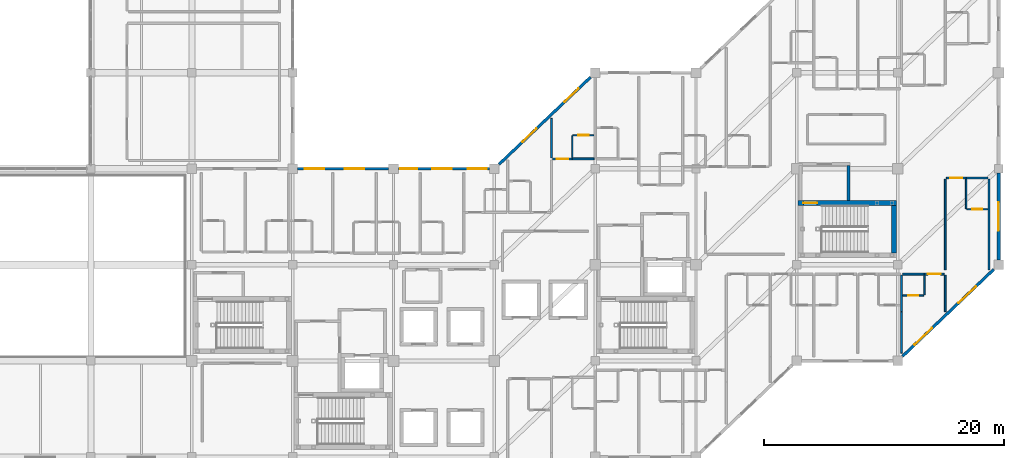
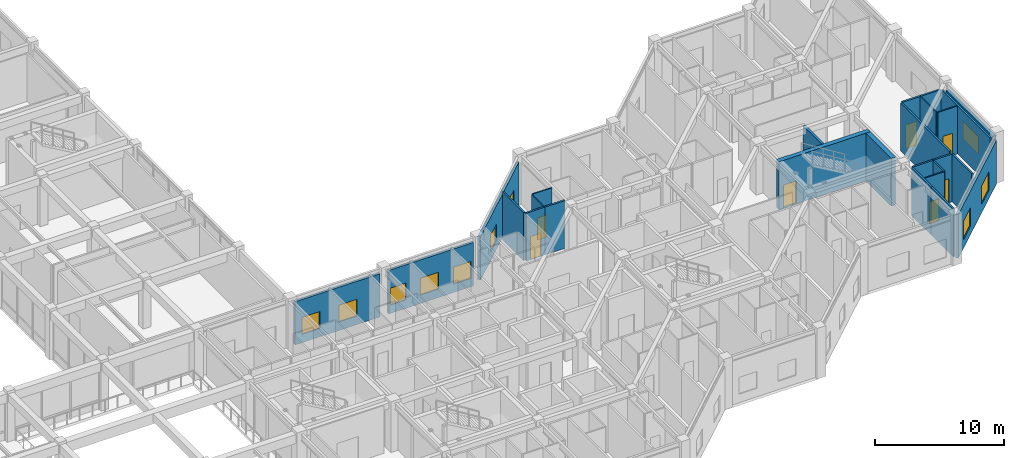
# One storey, part 63 of 76: 26 walls, 10 windows, 7 doors, 17 openings.
"""IFC4 building model written with IfcOpenShell, lengths in metres."""

from ifc_helpers import new_model, si_unit, direction, frame, frame_2d, origin, place, context, subcontext, project, spatial, rectangle, extrude, material, layer, layer_set, type_object, element, fill, save


model = new_model("IFC4")

# Units and contexts
model_context = context("Model", 3, precision=1e-05, world=origin(), true_north=direction((0.0, 1.0)))
body_context = subcontext(model_context, "Body", "Model", "MODEL_VIEW")
ifc_project = project(units=[si_unit("LENGTHUNIT", "METRE"), si_unit("AREAUNIT", "SQUARE_METRE"), si_unit("VOLUMEUNIT", "CUBIC_METRE"), si_unit("PLANEANGLEUNIT", "RADIAN"), si_unit("MASSUNIT", "GRAM", prefix="KILO")], contexts=[model_context])

# Site, building, storey
site_placement = place(None, origin())
site = spatial("IfcSite", under=ifc_project, at=site_placement, CompositionType="ELEMENT")
building_placement = place(site_placement, origin())
building = spatial("IfcBuilding", under=site, at=building_placement, Name="Naruveol Harbour Congress Hotel", CompositionType="ELEMENT")
storey_placement = place(building_placement, frame((0.0, 0.0, 11.39990234375)))
storey = spatial("IfcBuildingStorey", under=building, at=storey_placement, Name="L02", CompositionType="ELEMENT", Elevation=11.39990234375)

# Wall, opening, window
ifc_material_1 = material(Name="Precast concrete C40/50", Category="concrete")
ifc_layer_1 = layer(ifc_material_1, 0.280029296875)
ifc_layer_set_1 = layer_set([ifc_layer_1], Name="Precast concrete C40/50")
wall_type_1 = type_object("IfcWallType", Name="ARCHITECTURAL PRECAST FACADE WALL 280", PredefinedType="SOLIDWALL", material=ifc_layer_set_1)
wall_1_placement = place(storey_placement, frame((184.800048828125, 31.64990234375, 0.0), z_axis=(0.0, 0.0, 1.0), x_axis=(0.0, -1.0, 0.0)))
wall_1 = element("IfcWall", 1, at=wall_1_placement, inside=storey, type_object=wall_type_1, Name="Hotel east gable wall L02 EW-280", PredefinedType="SOLIDWALL", context=body_context, shape_type="SweptSolid", body=[
    extrude(rectangle(XDim=7.25, YDim=0.280029296875, at=frame_2d((3.625, 0.0))), origin(), (0.0, 0.0, 1.0), 3.900146484375),
])
opening_1_placement = place(wall_1_placement, frame((2.425048828125, 0.0, 0.75)))
opening_1 = element("IfcOpeningElement", 2, at=opening_1_placement, cuts=wall_1, Name="Opening W-07", PredefinedType="OPENING", context=body_context, shape_type="SweptSolid", body=[
    extrude(rectangle(XDim=2.39990234375, YDim=1.64990234375, at=frame_2d((1.199951171875, 0.824951171875))), frame((0.0, 0.14990234375, 0.0), z_axis=(0.0, -1.0, 0.0), x_axis=(1.0, 0.0, 0.0)), (0.0, 0.0, 1.0), 0.300048828125),
])
ifc_material_2 = material(Name="Low-E Triple Glazing in Thermal Aluminium", Category="aluminium")
window_type_1 = type_object("IfcWindowType", Name="CORNER SUITE WINDOW 2400X1650", PartitioningType="DOUBLE_PANEL_VERTICAL", PredefinedType="WINDOW", material=ifc_material_2)
window_1_placement = place(opening_1_placement, origin())
window_1 = element("IfcWindow", 3, at=window_1_placement, inside=storey, type_object=window_type_1, Name="Window W-07 #223", OverallHeight=1.64990234375, OverallWidth=2.39990234375, PartitioningType="DOUBLE_PANEL_VERTICAL", PredefinedType="WINDOW", context=body_context, shape_type="SweptSolid", body=[
    extrude(rectangle(XDim=2.39990234375, YDim=1.64990234375, at=frame_2d((1.199951171875, 0.824951171875))), frame((0.0, 0.030029296875, 0.0), z_axis=(0.0, -1.0, 0.0), x_axis=(1.0, 0.0, 0.0)), (0.0, 0.0, 1.0), 0.06005859375),
])
fill(opening_1, window_1)

# Wall
ifc_material_3 = material(Name="Moisture-Resistant Gypsum Partition", Category="gypsum")
ifc_layer_2 = layer(ifc_material_3, 0.114990234375)
ifc_layer_set_2 = layer_set([ifc_layer_2], Name="Moisture-Resistant Gypsum Partition")
wall_type_2 = type_object("IfcWallType", Name="BATHROOM MOISTURE PARTITION WALL 115", PredefinedType="PARTITIONING", material=ifc_layer_set_2)
wall_2_placement = place(storey_placement, frame((149.2900390625, 32.909912109375, 0.0), z_axis=(0.0, 0.0, 1.0), x_axis=(0.0, 1.0, 0.0)))
element("IfcWall", 4, at=wall_2_placement, inside=storey, type_object=wall_type_2, Name="Bathroom west wall 0327 PW-115", PredefinedType="PARTITIONING", context=body_context, shape_type="SweptSolid", body=[
    extrude(rectangle(XDim=1.820068359375, YDim=0.114990234375, at=frame_2d((0.91015625, 0.0))), origin(), (0.0, 0.0, 1.0), 4.53515625),
])

# Wall, opening, door
wall_3_placement = place(storey_placement, frame((149.35009765625, 34.7900390625, 0.0), z_axis=(0.0, 0.0, 1.0), x_axis=(1.0, 0.0, 0.0)))
wall_3 = element("IfcWall", 5, at=wall_3_placement, inside=storey, type_object=wall_type_2, Name="Bathroom north wall 0327 PW-115", PredefinedType="PARTITIONING", context=body_context, shape_type="SweptSolid", body=[
    extrude(rectangle(XDim=1.75, YDim=0.114990234375, at=frame_2d((0.875, 0.0))), origin(), (0.0, 0.0, 1.0), 4.53515625),
])
opening_2_placement = place(wall_3_placement, frame((0.445068359375, 0.0, 0.0)))
opening_2 = element("IfcOpeningElement", 6, at=opening_2_placement, cuts=wall_3, Name="Opening BD-RM0327", PredefinedType="OPENING", context=body_context, shape_type="SweptSolid", body=[
    extrude(rectangle(XDim=0.860107421875, YDim=2.1201171875, at=frame_2d((0.43017578125, 1.06005859375))), frame((0.0, 0.0673828125, 0.0), z_axis=(0.0, -1.0, 0.0), x_axis=(1.0, 0.0, 0.0)), (0.0, 0.0, 1.0), 0.135009765625),
])
ifc_material_4 = material(Name="Timber & Steel Acoustic Leaf", Category="steel")
door_type_1 = type_object("IfcDoorType", Name="GUEST BATHROOM DOOR 860X2120", OperationType="NOTDEFINED", PredefinedType="DOOR", material=ifc_material_4)
door_1_placement = place(opening_2_placement, origin())
door_1 = element("IfcDoor", 7, at=door_1_placement, inside=storey, type_object=door_type_1, Name="Bathroom Door 0327", OperationType="SINGLE_SWING_RIGHT", OverallHeight=2.1201171875, OverallWidth=0.860107421875, PredefinedType="DOOR", context=body_context, shape_type="SweptSolid", body=[
    extrude(rectangle(XDim=0.860107421875, YDim=2.1201171875, at=frame_2d((0.43017578125, 1.06005859375))), frame((0.0, 0.02490234375, 0.0), z_axis=(0.0, -1.0, 0.0), x_axis=(1.0, 0.0, 0.0)), (0.0, 0.0, 1.0), 0.050048828125),
])
fill(opening_2, door_1)

# Wall
wall_4_placement = place(storey_placement, frame((178.6201171875, 21.489990234375, 0.0), z_axis=(0.0, 0.0, 1.0), x_axis=(0.0, 1.0, 0.0)))
element("IfcWall", 8, at=wall_4_placement, inside=storey, type_object=wall_type_2, Name="Bathroom east wall 0317 PW-115", PredefinedType="PARTITIONING", context=body_context, shape_type="SweptSolid", body=[
    extrude(rectangle(XDim=1.64990234375, YDim=0.114990234375, at=frame_2d((0.824951171875, 0.0))), origin(), (0.0, 0.0, 1.0), 4.53515625),
])

# Wall, opening, door
wall_5_placement = place(storey_placement, frame((176.81005859375, 21.429931640625, 0.0), z_axis=(0.0, 0.0, 1.0), x_axis=(1.0, 0.0, 0.0)))
wall_5 = element("IfcWall", 9, at=wall_5_placement, inside=storey, type_object=wall_type_2, Name="Bathroom south wall 0317 PW-115", PredefinedType="PARTITIONING", context=body_context, shape_type="SweptSolid", body=[
    extrude(rectangle(XDim=1.75, YDim=0.114990234375, at=frame_2d((0.875, 0.0))), origin(), (0.0, 0.0, 1.0), 4.53515625),
])
opening_3_placement = place(wall_5_placement, frame((0.445068359375, 0.0, 0.0)))
opening_3 = element("IfcOpeningElement", 10, at=opening_3_placement, cuts=wall_5, Name="Opening BD-RM0317", PredefinedType="OPENING", context=body_context, shape_type="SweptSolid", body=[
    extrude(rectangle(XDim=0.860107421875, YDim=2.1201171875, at=frame_2d((0.43017578125, 1.06005859375))), frame((0.0, 0.0673828125, 0.0), z_axis=(0.0, -1.0, 0.0), x_axis=(1.0, 0.0, 0.0)), (0.0, 0.0, 1.0), 0.135009765625),
])
door_2_placement = place(opening_3_placement, origin())
door_2 = element("IfcDoor", 11, at=door_2_placement, inside=storey, type_object=door_type_1, Name="Bathroom Door 0317", OperationType="SINGLE_SWING_RIGHT", OverallHeight=2.1201171875, OverallWidth=0.860107421875, PredefinedType="DOOR", context=body_context, shape_type="SweptSolid", body=[
    extrude(rectangle(XDim=0.860107421875, YDim=2.1201171875, at=frame_2d((0.43017578125, 1.06005859375))), frame((0.0, 0.02490234375, 0.0), z_axis=(0.0, -1.0, 0.0), x_axis=(1.0, 0.0, 0.0)), (0.0, 0.0, 1.0), 0.050048828125),
])
fill(opening_3, door_2)

# Wall
wall_6_placement = place(storey_placement, frame((182.090087890625, 28.68994140625, 0.0), z_axis=(0.0, 0.0, 1.0), x_axis=(0.0, 1.0, 0.0)))
element("IfcWall", 12, at=wall_6_placement, inside=storey, type_object=wall_type_2, Name="Bathroom west wall 0318 PW-115", PredefinedType="PARTITIONING", context=body_context, shape_type="SweptSolid", body=[
    extrude(rectangle(XDim=2.449951171875, YDim=0.114990234375, at=frame_2d((1.22509765625, 0.0))), origin(), (0.0, 0.0, 1.0), 4.53515625),
])

# Wall, opening, door
wall_7_placement = place(storey_placement, frame((182.14990234375, 28.6298828125, 0.0), z_axis=(0.0, 0.0, 1.0), x_axis=(1.0, 0.0, 0.0)))
wall_7 = element("IfcWall", 13, at=wall_7_placement, inside=storey, type_object=wall_type_2, Name="Bathroom south wall 0318 PW-115", PredefinedType="PARTITIONING", context=body_context, shape_type="SweptSolid", body=[
    extrude(rectangle(XDim=1.75, YDim=0.114990234375, at=frame_2d((0.875, 0.0))), origin(), (0.0, 0.0, 1.0), 4.53515625),
])
opening_4_placement = place(wall_7_placement, frame((0.445068359375, 0.0, 0.0)))
opening_4 = element("IfcOpeningElement", 14, at=opening_4_placement, cuts=wall_7, Name="Opening BD-RM0318", PredefinedType="OPENING", context=body_context, shape_type="SweptSolid", body=[
    extrude(rectangle(XDim=0.860107421875, YDim=2.1201171875, at=frame_2d((0.43017578125, 1.06005859375))), frame((0.0, 0.0673828125, 0.0), z_axis=(0.0, -1.0, 0.0), x_axis=(1.0, 0.0, 0.0)), (0.0, 0.0, 1.0), 0.135009765625),
])
door_3_placement = place(opening_4_placement, origin())
door_3 = element("IfcDoor", 15, at=door_3_placement, inside=storey, type_object=door_type_1, Name="Bathroom Door 0318", OperationType="SINGLE_SWING_RIGHT", OverallHeight=2.1201171875, OverallWidth=0.860107421875, PredefinedType="DOOR", context=body_context, shape_type="SweptSolid", body=[
    extrude(rectangle(XDim=0.860107421875, YDim=2.1201171875, at=frame_2d((0.43017578125, 1.06005859375))), frame((0.0, 0.02490234375, 0.0), z_axis=(0.0, -1.0, 0.0), x_axis=(1.0, 0.0, 0.0)), (0.0, 0.0, 1.0), 0.050048828125),
])
fill(opening_4, door_3)

# Wall
ifc_material_5 = material(Name="Concrete C40/50", Category="concrete")
ifc_layer_3 = layer(ifc_material_5, 0.219970703125)
ifc_layer_set_3 = layer_set([ifc_layer_3], Name="Concrete C40/50")
wall_type_3 = type_object("IfcWallType", Name="FIRE COMPARTMENT AND LOBBY WALL 220 EI120", PredefinedType="PARTITIONING", material=ifc_layer_set_3)
wall_8_placement = place(storey_placement, frame((172.300048828125, 29.364990234375, 0.0), z_axis=(0.0, 0.0, 1.0), x_axis=(0.0, 1.0, 0.0)))
element("IfcWall", 16, at=wall_8_placement, inside=storey, type_object=wall_type_3, Name="Smoke vestibule ST4 east wall FW-220", PredefinedType="PARTITIONING", context=body_context, shape_type="SweptSolid", body=[
    extrude(rectangle(XDim=2.919921875, YDim=0.219970703125, at=frame_2d((1.4599609375, 0.0))), origin(), (0.0, 0.0, 1.0), 4.53515625),
])

# Wall, opening, door
ifc_material_6 = material(Name="Autoclaved Aerated Concrete Block", Category="concrete")
ifc_layer_4 = layer(ifc_material_6, 0.159912109375)
ifc_layer_set_4 = layer_set([ifc_layer_4], Name="Autoclaved Aerated Concrete Block")
wall_type_4 = type_object("IfcWallType", Name="HOTEL PARTY AND CORRIDOR WALL 160 EI60", PredefinedType="PARTITIONING", material=ifc_layer_set_4)
wall_9_placement = place(storey_placement, frame((147.64990234375, 32.820068359375, 0.0), z_axis=(0.0, 0.0, 1.0), x_axis=(1.0, 0.0, 0.0)))
wall_9 = element("IfcWall", 17, at=wall_9_placement, inside=storey, type_object=wall_type_4, Name="Corridor entry wall 0327 PW-160", PredefinedType="PARTITIONING", context=body_context, shape_type="SweptSolid", body=[
    extrude(rectangle(XDim=1.64013671875, YDim=0.159912109375, at=frame_2d((0.820068359375, 0.0))), origin(), (0.0, 0.0, 1.0), 4.53515625),
])
opening_5_placement = place(wall_9_placement, frame((0.340087890625, 0.0, 0.0)))
opening_5 = element("IfcOpeningElement", 18, at=opening_5_placement, cuts=wall_9, Name="Opening FD-RM0327", PredefinedType="OPENING", context=body_context, shape_type="SweptSolid", body=[
    extrude(rectangle(XDim=0.9599609375, YDim=2.199951171875, at=frame_2d((0.47998046875, 1.10009765625))), frame((0.0, 0.08984375, 0.0), z_axis=(0.0, -1.0, 0.0), x_axis=(1.0, 0.0, 0.0)), (0.0, 0.0, 1.0), 0.179931640625),
])
ifc_material_7 = material(Name="Timber & Steel Acoustic Leaf", Category="steel")
door_type_2 = type_object("IfcDoorType", Name="GUEST ROOM ENTRANCE FIRE DOOR 960X2200", OperationType="NOTDEFINED", PredefinedType="DOOR", material=ifc_material_7)
door_4_placement = place(opening_5_placement, origin())
door_4 = element("IfcDoor", 19, at=door_4_placement, inside=storey, type_object=door_type_2, Name="Hotel Room Door 0327", OperationType="SINGLE_SWING_LEFT", OverallHeight=2.199951171875, OverallWidth=0.9599609375, PredefinedType="DOOR", context=body_context, shape_type="SweptSolid", body=[
    extrude(rectangle(XDim=0.9599609375, YDim=2.199951171875, at=frame_2d((0.47998046875, 1.10009765625))), frame((0.0, 0.02490234375, 0.0), z_axis=(0.0, -1.0, 0.0), x_axis=(1.0, 0.0, 0.0)), (0.0, 0.0, 1.0), 0.050048828125),
])
fill(opening_5, door_4)

# Walls
wall_10_placement = place(storey_placement, frame((149.300048828125, 32.820068359375, 0.0), z_axis=(0.0, 0.0, 1.0), x_axis=(1.0, 0.0, 0.0)))
element("IfcWall", 20, at=wall_10_placement, inside=storey, type_object=wall_type_4, Name="Corridor wall 0327B PW-160", PredefinedType="PARTITIONING", context=body_context, shape_type="SweptSolid", body=[
    extrude(rectangle(XDim=1.81005859375, YDim=0.159912109375, at=frame_2d((0.905029296875, 0.0))), origin(), (0.0, 0.0, 1.0), 4.53515625),
])
wall_11_placement = place(storey_placement, frame((147.56005859375, 32.909912109375, 0.0), z_axis=(0.0, 0.0, 1.0), x_axis=(0.0, 1.0, 0.0)))
element("IfcWall", 21, at=wall_11_placement, inside=storey, type_object=wall_type_4, Name="Hotel party wall 0327 PW-160", PredefinedType="PARTITIONING", context=body_context, shape_type="SweptSolid", body=[
    extrude(rectangle(XDim=3.280029296875, YDim=0.159912109375, at=frame_2d((1.64013671875, 0.0))), origin(), (0.0, 0.0, 1.0), 4.53515625),
])
wall_12_placement = place(storey_placement, frame((176.7099609375, 16.639892578125, 0.0), z_axis=(0.0, 0.0, 1.0), x_axis=(0.0, 1.0, 0.0)))
element("IfcWall", 22, at=wall_12_placement, inside=storey, type_object=wall_type_4, Name="Hotel end party wall 0316 PW-160", PredefinedType="PARTITIONING", context=body_context, shape_type="SweptSolid", body=[
    extrude(rectangle(XDim=3.460205078125, YDim=0.159912109375, at=frame_2d((1.72998046875, 0.0))), origin(), (0.0, 0.0, 1.0), 4.53515625),
])
wall_13_placement = place(storey_placement, frame((176.800048828125, 23.22998046875, 0.0), z_axis=(0.0, 0.0, 1.0), x_axis=(1.0, 0.0, 0.0)))
element("IfcWall", 23, at=wall_13_placement, inside=storey, type_object=wall_type_4, Name="Corridor wall 0317B PW-160", PredefinedType="PARTITIONING", context=body_context, shape_type="SweptSolid", body=[
    extrude(rectangle(XDim=1.81005859375, YDim=0.159912109375, at=frame_2d((0.905029296875, 0.0))), origin(), (0.0, 0.0, 1.0), 4.53515625),
])

# Wall, opening, door
wall_14_placement = place(storey_placement, frame((178.6201171875, 23.22998046875, 0.0), z_axis=(0.0, 0.0, 1.0), x_axis=(1.0, 0.0, 0.0)))
wall_14 = element("IfcWall", 24, at=wall_14_placement, inside=storey, type_object=wall_type_4, Name="Corridor entry wall 0317 PW-160", PredefinedType="PARTITIONING", context=body_context, shape_type="SweptSolid", body=[
    extrude(rectangle(XDim=1.64990234375, YDim=0.159912109375, at=frame_2d((0.824951171875, 0.0))), origin(), (0.0, 0.0, 1.0), 4.53515625),
])
opening_6_placement = place(wall_14_placement, frame((0.284912109375, 0.0, 0.0)))
opening_6 = element("IfcOpeningElement", 25, at=opening_6_placement, cuts=wall_14, Name="Opening FD-RM0317", PredefinedType="OPENING", context=body_context, shape_type="SweptSolid", body=[
    extrude(rectangle(XDim=1.080078125, YDim=2.300048828125, at=frame_2d((0.5400390625, 1.14990234375))), frame((0.0, 0.08984375, 0.0), z_axis=(0.0, -1.0, 0.0), x_axis=(1.0, 0.0, 0.0)), (0.0, 0.0, 1.0), 0.179931640625),
])
ifc_material_8 = material(Name="Timber & Steel Acoustic Leaf", Category="steel")
door_type_3 = type_object("IfcDoorType", Name="SUITE ENTRANCE FIRE DOOR 1080X2300", OperationType="NOTDEFINED", PredefinedType="DOOR", material=ifc_material_8)
door_5_placement = place(opening_6_placement, origin())
door_5 = element("IfcDoor", 26, at=door_5_placement, inside=storey, type_object=door_type_3, Name="Hotel Room Door 0317", OperationType="SINGLE_SWING_LEFT", OverallHeight=2.300048828125, OverallWidth=1.080078125, PredefinedType="DOOR", context=body_context, shape_type="SweptSolid", body=[
    extrude(rectangle(XDim=1.080078125, YDim=2.300048828125, at=frame_2d((0.5400390625, 1.14990234375))), frame((0.0, 0.02490234375, 0.0), z_axis=(0.0, -1.0, 0.0), x_axis=(1.0, 0.0, 0.0)), (0.0, 0.0, 1.0), 0.050048828125),
])
fill(opening_6, door_5)

# Walls
for number, where, z_axis, x_axis, name in (
    (27, (176.7099609375, 20.110107421875, 0.0), (0.0, 0.0, 1.0), (0.0, 1.0, 0.0), "Hotel party wall 0317 PW-160"),
    (28, (180.360107421875, 20.110107421875, 0.0), (0.0, 0.0, 1.0), (0.0, 1.0, 0.0), "Hotel end party wall 0317 PW-160"),
):
    element("IfcWall", number, at=place(storey_placement, frame(where, z_axis=z_axis, x_axis=x_axis)), inside=storey, type_object=wall_type_4, Name=name, PredefinedType="PARTITIONING", context=body_context, shape_type="SweptSolid", body=[
        extrude(rectangle(XDim=3.02978515625, YDim=0.159912109375, at=frame_2d((1.514892578125, 0.0))), origin(), (0.0, 0.0, 1.0), 4.53515625),
    ])

# Wall, opening, door
wall_15_placement = place(storey_placement, frame((180.449951171875, 31.22998046875, 0.0), z_axis=(0.0, 0.0, 1.0), x_axis=(1.0, 0.0, 0.0)))
wall_15 = element("IfcWall", 29, at=wall_15_placement, inside=storey, type_object=wall_type_4, Name="Corridor entry wall 0318 PW-160", PredefinedType="PARTITIONING", context=body_context, shape_type="SweptSolid", body=[
    extrude(rectangle(XDim=1.64013671875, YDim=0.159912109375, at=frame_2d((0.820068359375, 0.0))), origin(), (0.0, 0.0, 1.0), 4.53515625),
])
opening_7_placement = place(wall_15_placement, frame((0.320068359375, 0.0, 0.0)))
opening_7 = element("IfcOpeningElement", 30, at=opening_7_placement, cuts=wall_15, Name="Opening FD-RM0318", PredefinedType="OPENING", context=body_context, shape_type="SweptSolid", body=[
    extrude(rectangle(XDim=1.0, YDim=2.25, at=frame_2d((0.5, 1.125))), frame((0.0, 0.08984375, 0.0), z_axis=(0.0, -1.0, 0.0), x_axis=(1.0, 0.0, 0.0)), (0.0, 0.0, 1.0), 0.179931640625),
])
ifc_material_9 = material(Name="Timber & Steel Acoustic Leaf", Category="steel")
door_type_4 = type_object("IfcDoorType", Name="DELUXE GUEST ENTRANCE FIRE DOOR 1000X2250", OperationType="NOTDEFINED", PredefinedType="DOOR", material=ifc_material_9)
door_6_placement = place(opening_7_placement, origin())
door_6 = element("IfcDoor", 31, at=door_6_placement, inside=storey, type_object=door_type_4, Name="Hotel Room Door 0318", OperationType="SINGLE_SWING_LEFT", OverallHeight=2.25, OverallWidth=1.0, PredefinedType="DOOR", context=body_context, shape_type="SweptSolid", body=[
    extrude(rectangle(XDim=1.0, YDim=2.25, at=frame_2d((0.5, 1.125))), frame((0.0, 0.02490234375, 0.0), z_axis=(0.0, -1.0, 0.0), x_axis=(1.0, 0.0, 0.0)), (0.0, 0.0, 1.0), 0.050048828125),
])
fill(opening_7, door_6)

# Walls
wall_16_placement = place(storey_placement, frame((182.10009765625, 31.22998046875, 0.0), z_axis=(0.0, 0.0, 1.0), x_axis=(1.0, 0.0, 0.0)))
element("IfcWall", 32, at=wall_16_placement, inside=storey, type_object=wall_type_4, Name="Corridor wall 0318B PW-160", PredefinedType="PARTITIONING", context=body_context, shape_type="SweptSolid", body=[
    extrude(rectangle(XDim=1.809814453125, YDim=0.159912109375, at=frame_2d((0.90478515625, 0.0))), origin(), (0.0, 0.0, 1.0), 4.53515625),
])
for number, where, z_axis, x_axis, name in (
    (33, (180.360107421875, 23.580078125, 0.0), (0.0, 0.0, 1.0), (0.0, 1.0, 0.0), "Hotel party wall 0318 PW-160"),
    (34, (184.0, 23.580078125, 0.0), (0.0, 0.0, 1.0), (0.0, 1.0, 0.0), "Hotel end party wall 0318 PW-160"),
):
    element("IfcWall", number, at=place(storey_placement, frame(where, z_axis=z_axis, x_axis=x_axis)), inside=storey, type_object=wall_type_4, Name=name, PredefinedType="PARTITIONING", context=body_context, shape_type="SweptSolid", body=[
        extrude(rectangle(XDim=7.559814453125, YDim=0.159912109375, at=frame_2d((3.77978515625, 0.0))), origin(), (0.0, 0.0, 1.0), 4.53515625),
    ])

# Wall, openings, windows
ifc_material_10 = material(Name="Concrete C40/50", Category="concrete")
ifc_layer_5 = layer(ifc_material_10, 0.239990234375)
ifc_layer_set_5 = layer_set([ifc_layer_5], Name="Concrete C40/50")
wall_type_5 = type_object("IfcWallType", Name="INSULATED HOTEL SPANDREL WALL 240", PredefinedType="SOLIDWALL", material=ifc_layer_set_5)
wall_17_placement = place(storey_placement, frame((126.39990234375, 32.0, 0.0), z_axis=(0.0, 0.0, 1.0), x_axis=(1.0, 0.0, 0.0)))
wall_17 = element("IfcWall", 35, at=wall_17_placement, inside=storey, type_object=wall_type_5, Name="Hotel north bay wall L02 EW-240", PredefinedType="SOLIDWALL", context=body_context, shape_type="SweptSolid", body=[
    extrude(rectangle(XDim=7.60009765625, YDim=0.239990234375, at=frame_2d((3.800048828125, 0.0))), origin(), (0.0, 0.0, 1.0), 4.10009765625),
])
opening_8_placement = place(wall_17_placement, frame((0.614990234375, 0.0, 0.800048828125)))
opening_8 = element("IfcOpeningElement", 36, at=opening_8_placement, cuts=wall_17, Name="Opening W-03", PredefinedType="OPENING", context=body_context, shape_type="SweptSolid", body=[
    extrude(rectangle(XDim=1.60009765625, YDim=1.60009765625, at=frame_2d((0.800048828125, 0.800048828125))), frame((0.0, 0.1298828125, 0.0), z_axis=(0.0, -1.0, 0.0), x_axis=(1.0, 0.0, 0.0)), (0.0, 0.0, 1.0), 0.260009765625),
])
opening_9_placement = place(wall_17_placement, frame((3.955078125, 0.0, 0.800048828125)))
opening_9 = element("IfcOpeningElement", 37, at=opening_9_placement, cuts=wall_17, Name="Opening W-03", PredefinedType="OPENING", context=body_context, shape_type="SweptSolid", body=[
    extrude(rectangle(XDim=1.60009765625, YDim=1.60009765625, at=frame_2d((0.800048828125, 0.800048828125))), frame((0.0, 0.1298828125, 0.0), z_axis=(0.0, -1.0, 0.0), x_axis=(1.0, 0.0, 0.0)), (0.0, 0.0, 1.0), 0.260009765625),
])
ifc_material_11 = material(Name="Low-E Triple Glazing in Thermal Aluminium", Category="aluminium")
window_type_2 = type_object("IfcWindowType", Name="DELUXE GUEST WINDOW 1600X1600", PartitioningType="SINGLE_PANEL", PredefinedType="WINDOW", material=ifc_material_11)
window_2_placement = place(opening_8_placement, origin())
window_2 = element("IfcWindow", 38, at=window_2_placement, inside=storey, type_object=window_type_2, Name="Window W-03 #190", OverallHeight=1.60009765625, OverallWidth=1.60009765625, PartitioningType="SINGLE_PANEL", PredefinedType="WINDOW", context=body_context, shape_type="SweptSolid", body=[
    extrude(rectangle(XDim=1.60009765625, YDim=1.60009765625, at=frame_2d((0.800048828125, 0.800048828125))), frame((0.0, 0.030029296875, 0.0), z_axis=(0.0, -1.0, 0.0), x_axis=(1.0, 0.0, 0.0)), (0.0, 0.0, 1.0), 0.06005859375),
])
fill(opening_8, window_2)
window_3_placement = place(opening_9_placement, origin())
window_3 = element("IfcWindow", 39, at=window_3_placement, inside=storey, type_object=window_type_2, Name="Window W-03 #191", OverallHeight=1.60009765625, OverallWidth=1.60009765625, PartitioningType="SINGLE_PANEL", PredefinedType="WINDOW", context=body_context, shape_type="SweptSolid", body=[
    extrude(rectangle(XDim=1.60009765625, YDim=1.60009765625, at=frame_2d((0.800048828125, 0.800048828125))), frame((0.0, 0.030029296875, 0.0), z_axis=(0.0, -1.0, 0.0), x_axis=(1.0, 0.0, 0.0)), (0.0, 0.0, 1.0), 0.06005859375),
])
fill(opening_9, window_3)

wall_18_placement = place(storey_placement, frame((134.800048828125, 32.0, 0.0), z_axis=(0.0, 0.0, 1.0), x_axis=(1.0, 0.0, 0.0)))
wall_18 = element("IfcWall", 40, at=wall_18_placement, inside=storey, type_object=wall_type_5, Name="Hotel north bay wall L02 EW-240", PredefinedType="SOLIDWALL", context=body_context, shape_type="SweptSolid", body=[
    extrude(rectangle(XDim=7.599853515625, YDim=0.239990234375, at=frame_2d((3.7998046875, 0.0))), origin(), (0.0, 0.0, 1.0), 4.130126953125),
])
opening_10_placement = place(wall_18_placement, frame((0.159912109375, 0.0, 0.800048828125)))
opening_10 = element("IfcOpeningElement", 41, at=opening_10_placement, cuts=wall_18, Name="Opening W-02", PredefinedType="OPENING", context=body_context, shape_type="SweptSolid", body=[
    extrude(rectangle(XDim=1.39990234375, YDim=1.60009765625, at=frame_2d((0.699951171875, 0.800048828125))), frame((0.0, 0.1298828125, 0.0), z_axis=(0.0, -1.0, 0.0), x_axis=(1.0, 0.0, 0.0)), (0.0, 0.0, 1.0), 0.260009765625),
])
opening_11_placement = place(wall_18_placement, frame((2.844970703125, 0.0, 0.800048828125)))
opening_11 = element("IfcOpeningElement", 42, at=opening_11_placement, cuts=wall_18, Name="Opening W-03", PredefinedType="OPENING", context=body_context, shape_type="SweptSolid", body=[
    extrude(rectangle(XDim=1.60009765625, YDim=1.60009765625, at=frame_2d((0.800048828125, 0.800048828125))), frame((0.0, 0.1298828125, 0.0), z_axis=(0.0, -1.0, 0.0), x_axis=(1.0, 0.0, 0.0)), (0.0, 0.0, 1.0), 0.260009765625),
])
opening_12_placement = place(wall_18_placement, frame((5.784912109375, 0.0, 0.800048828125)))
opening_12 = element("IfcOpeningElement", 43, at=opening_12_placement, cuts=wall_18, Name="Opening W-03", PredefinedType="OPENING", context=body_context, shape_type="SweptSolid", body=[
    extrude(rectangle(XDim=1.60009765625, YDim=1.60009765625, at=frame_2d((0.800048828125, 0.800048828125))), frame((0.0, 0.1298828125, 0.0), z_axis=(0.0, -1.0, 0.0), x_axis=(1.0, 0.0, 0.0)), (0.0, 0.0, 1.0), 0.260009765625),
])
window_4_placement = place(opening_11_placement, origin())
window_4 = element("IfcWindow", 44, at=window_4_placement, inside=storey, type_object=window_type_2, Name="Window W-03 #196", OverallHeight=1.60009765625, OverallWidth=1.60009765625, PartitioningType="SINGLE_PANEL", PredefinedType="WINDOW", context=body_context, shape_type="SweptSolid", body=[
    extrude(rectangle(XDim=1.60009765625, YDim=1.60009765625, at=frame_2d((0.800048828125, 0.800048828125))), frame((0.0, 0.030029296875, 0.0), z_axis=(0.0, -1.0, 0.0), x_axis=(1.0, 0.0, 0.0)), (0.0, 0.0, 1.0), 0.06005859375),
])
fill(opening_11, window_4)
window_5_placement = place(opening_12_placement, origin())
window_5 = element("IfcWindow", 45, at=window_5_placement, inside=storey, type_object=window_type_2, Name="Window W-03 #197", OverallHeight=1.60009765625, OverallWidth=1.60009765625, PartitioningType="SINGLE_PANEL", PredefinedType="WINDOW", context=body_context, shape_type="SweptSolid", body=[
    extrude(rectangle(XDim=1.60009765625, YDim=1.60009765625, at=frame_2d((0.800048828125, 0.800048828125))), frame((0.0, 0.030029296875, 0.0), z_axis=(0.0, -1.0, 0.0), x_axis=(1.0, 0.0, 0.0)), (0.0, 0.0, 1.0), 0.06005859375),
])
fill(opening_12, window_5)
ifc_material_12 = material(Name="Low-E Triple Glazing in Thermal Aluminium", Category="aluminium")
window_type_3 = type_object("IfcWindowType", Name="GUEST ROOM HARBOUR WINDOW 1400X1600", PartitioningType="SINGLE_PANEL", PredefinedType="WINDOW", material=ifc_material_12)
window_6_placement = place(opening_10_placement, origin())
window_6 = element("IfcWindow", 46, at=window_6_placement, inside=storey, type_object=window_type_3, Name="Window W-02 #195", OverallHeight=1.60009765625, OverallWidth=1.39990234375, PartitioningType="SINGLE_PANEL", PredefinedType="WINDOW", context=body_context, shape_type="SweptSolid", body=[
    extrude(rectangle(XDim=1.39990234375, YDim=1.60009765625, at=frame_2d((0.699951171875, 0.800048828125))), frame((0.0, 0.030029296875, 0.0), z_axis=(0.0, -1.0, 0.0), x_axis=(1.0, 0.0, 0.0)), (0.0, 0.0, 1.0), 0.06005859375),
])
fill(opening_10, window_6)

wall_19_placement = place(storey_placement, frame((143.199951171875, 32.381103515625, 0.0), z_axis=(0.0, 0.0, 1.0), x_axis=(0.724156739794, 0.689635422677, 0.0)))
wall_19 = element("IfcWall", 47, at=wall_19_placement, inside=storey, type_object=wall_type_5, Name="Hotel north bay wall L02 EW-240", PredefinedType="SOLIDWALL", context=body_context, shape_type="SweptSolid", body=[
    extrude(rectangle(XDim=10.4951171875, YDim=0.239990234375, at=frame_2d((5.24755859375, 0.0))), origin(), (0.0, 0.0, 1.0), 4.130126953125),
])
opening_13_placement = place(wall_19_placement, frame((2.700927734375, 0.0, 0.800048828125)))
opening_13 = element("IfcOpeningElement", 48, at=opening_13_placement, cuts=wall_19, Name="Opening W-03", PredefinedType="OPENING", context=body_context, shape_type="SweptSolid", body=[
    extrude(rectangle(XDim=1.60009765625, YDim=1.60009765625, at=frame_2d((0.800048828125, 0.800048828125))), frame((0.0, 0.1298828125, 0.0), z_axis=(0.0, -1.0, 0.0), x_axis=(1.0, 0.0, 0.0)), (0.0, 0.0, 1.0), 0.260009765625),
])
opening_14_placement = place(wall_19_placement, frame((7.527099609375, 0.0, 0.800048828125)))
opening_14 = element("IfcOpeningElement", 49, at=opening_14_placement, cuts=wall_19, Name="Opening W-03", PredefinedType="OPENING", context=body_context, shape_type="SweptSolid", body=[
    extrude(rectangle(XDim=1.60009765625, YDim=1.60009765625, at=frame_2d((0.800048828125, 0.800048828125))), frame((0.0, 0.1298828125, 0.0), z_axis=(0.0, -1.0, 0.0), x_axis=(1.0, 0.0, 0.0)), (0.0, 0.0, 1.0), 0.260009765625),
])
window_7_placement = place(opening_13_placement, origin())
window_7 = element("IfcWindow", 50, at=window_7_placement, inside=storey, type_object=window_type_2, Name="Window W-03 #200", OverallHeight=1.60009765625, OverallWidth=1.60009765625, PartitioningType="SINGLE_PANEL", PredefinedType="WINDOW", context=body_context, shape_type="SweptSolid", body=[
    extrude(rectangle(XDim=1.60009765625, YDim=1.60009765625, at=frame_2d((0.800048828125, 0.800048828125))), frame((0.0, 0.030029296875, 0.0), z_axis=(0.0, -1.0, 0.0), x_axis=(1.0, 0.0, 0.0)), (0.0, 0.0, 1.0), 0.06005859375),
])
fill(opening_13, window_7)
window_8_placement = place(opening_14_placement, origin())
window_8 = element("IfcWindow", 51, at=window_8_placement, inside=storey, type_object=window_type_2, Name="Window W-03 #201", OverallHeight=1.60009765625, OverallWidth=1.60009765625, PartitioningType="SINGLE_PANEL", PredefinedType="WINDOW", context=body_context, shape_type="SweptSolid", body=[
    extrude(rectangle(XDim=1.60009765625, YDim=1.60009765625, at=frame_2d((0.800048828125, 0.800048828125))), frame((0.0, 0.030029296875, 0.0), z_axis=(0.0, -1.0, 0.0), x_axis=(1.0, 0.0, 0.0)), (0.0, 0.0, 1.0), 0.06005859375),
])
fill(opening_14, window_8)

wall_20_placement = place(storey_placement, frame((184.39990234375, 23.618896484375, 0.0), z_axis=(0.0, 0.0, 1.0), x_axis=(-0.724145676014, -0.689647040094, 0.0)))
wall_20 = element("IfcWall", 52, at=wall_20_placement, inside=storey, type_object=wall_type_5, Name="Hotel south waterfront wall L02 EW-240", PredefinedType="SOLIDWALL", context=body_context, shape_type="SweptSolid", body=[
    extrude(rectangle(XDim=10.494873046875, YDim=0.239990234375, at=frame_2d((5.24755859375, 0.0))), origin(), (0.0, 0.0, 1.0), 4.130126953125),
])
opening_15_placement = place(wall_20_placement, frame((2.06591796875, 0.0, 0.800048828125)))
opening_15 = element("IfcOpeningElement", 53, at=opening_15_placement, cuts=wall_20, Name="Opening W-05", PredefinedType="OPENING", context=body_context, shape_type="SweptSolid", body=[
    extrude(rectangle(XDim=2.0, YDim=1.75, at=frame_2d((1.0, 0.875))), frame((0.0, 0.1298828125, 0.0), z_axis=(0.0, -1.0, 0.0), x_axis=(1.0, 0.0, 0.0)), (0.0, 0.0, 1.0), 0.260009765625),
])
opening_16_placement = place(wall_20_placement, frame((7.09912109375, 0.0, 0.800048828125)))
opening_16 = element("IfcOpeningElement", 54, at=opening_16_placement, cuts=wall_20, Name="Opening W-05", PredefinedType="OPENING", context=body_context, shape_type="SweptSolid", body=[
    extrude(rectangle(XDim=2.0, YDim=1.75, at=frame_2d((1.0, 0.875))), frame((0.0, 0.1298828125, 0.0), z_axis=(0.0, -1.0, 0.0), x_axis=(1.0, 0.0, 0.0)), (0.0, 0.0, 1.0), 0.260009765625),
])
ifc_material_13 = material(Name="Low-E Triple Glazing in Thermal Aluminium", Category="aluminium")
window_type_4 = type_object("IfcWindowType", Name="GARDEN SUITE WINDOW 2000X1750", PartitioningType="DOUBLE_PANEL_VERTICAL", PredefinedType="WINDOW", material=ifc_material_13)
window_9_placement = place(opening_15_placement, origin())
window_9 = element("IfcWindow", 55, at=window_9_placement, inside=storey, type_object=window_type_4, Name="Window W-05 #216", OverallHeight=1.75, OverallWidth=2.0, PartitioningType="DOUBLE_PANEL_VERTICAL", PredefinedType="WINDOW", context=body_context, shape_type="SweptSolid", body=[
    extrude(rectangle(XDim=2.0, YDim=1.75, at=frame_2d((1.0, 0.875))), frame((0.0, 0.030029296875, 0.0), z_axis=(0.0, -1.0, 0.0), x_axis=(1.0, 0.0, 0.0)), (0.0, 0.0, 1.0), 0.06005859375),
])
fill(opening_15, window_9)
window_10_placement = place(opening_16_placement, origin())
window_10 = element("IfcWindow", 56, at=window_10_placement, inside=storey, type_object=window_type_4, Name="Window W-05 #217", OverallHeight=1.75, OverallWidth=2.0, PartitioningType="DOUBLE_PANEL_VERTICAL", PredefinedType="WINDOW", context=body_context, shape_type="SweptSolid", body=[
    extrude(rectangle(XDim=2.0, YDim=1.75, at=frame_2d((1.0, 0.875))), frame((0.0, 0.030029296875, 0.0), z_axis=(0.0, -1.0, 0.0), x_axis=(1.0, 0.0, 0.0)), (0.0, 0.0, 1.0), 0.06005859375),
])
fill(opening_16, window_10)

# Wall
ifc_material_14 = material(Name="Concrete C50/60", Category="concrete")
ifc_layer_6 = layer(ifc_material_14, 0.39990234375)
ifc_layer_set_6 = layer_set([ifc_layer_6], Name="Concrete C50/60")
wall_type_6 = type_object("IfcWallType", Name="RC CORE SHEAR WALL 400 EI120", PredefinedType="SHEAR", material=ifc_layer_set_6)
wall_21_placement = place(storey_placement, frame((176.10009765625, 25.0048828125, 0.0), z_axis=(0.0, 0.0, 1.0), x_axis=(0.0, 1.0, 0.0)))
element("IfcWall", 57, at=wall_21_placement, inside=storey, type_object=wall_type_6, Name="Stair ST4 east core wall CW-400", PredefinedType="SHEAR", context=body_context, shape_type="SweptSolid", body=[
    extrude(rectangle(XDim=3.9501953125, YDim=0.39990234375, at=frame_2d((1.97509765625, 0.0))), origin(), (0.0, 0.0, 1.0), 4.53515625),
])

# Wall, opening, door
wall_22_placement = place(storey_placement, frame((168.10009765625, 29.159912109375, 0.0), z_axis=(0.0, 0.0, 1.0), x_axis=(1.0, 0.0, 0.0)))
wall_22 = element("IfcWall", 58, at=wall_22_placement, inside=storey, type_object=wall_type_6, Name="Stair ST4 north core wall CW-400", PredefinedType="SHEAR", context=body_context, shape_type="SweptSolid", body=[
    extrude(rectangle(XDim=8.199951171875, YDim=0.39990234375, at=frame_2d((4.10009765625, 0.0))), origin(), (0.0, 0.0, 1.0), 4.53515625),
])
opening_17_placement = place(wall_22_placement, frame((0.429931640625, 0.0, 0.0)))
opening_17 = element("IfcOpeningElement", 59, at=opening_17_placement, cuts=wall_22, Name="Opening FD-ST4-S-L02", PredefinedType="OPENING", context=body_context, shape_type="SweptSolid", body=[
    extrude(rectangle(XDim=1.159912109375, YDim=2.199951171875, at=frame_2d((0.580078125, 1.10009765625))), frame((0.0, 0.2099609375, 0.0), z_axis=(0.0, -1.0, 0.0), x_axis=(1.0, 0.0, 0.0)), (0.0, 0.0, 1.0), 0.419921875),
])
ifc_material_15 = material(Name="Timber & Steel Acoustic Leaf", Category="steel")
door_type_5 = type_object("IfcDoorType", Name="SPECIAL ESCAPE STAIR FIRE DOOR 1160X2200", OperationType="NOTDEFINED", PredefinedType="DOOR", material=ifc_material_15)
door_7_placement = place(opening_17_placement, origin())
door_7 = element("IfcDoor", 60, at=door_7_placement, inside=storey, type_object=door_type_5, Name="Special Escape Stair Door ST4 L02", OperationType="SINGLE_SWING_RIGHT", OverallHeight=2.199951171875, OverallWidth=1.159912109375, PredefinedType="DOOR", context=body_context, shape_type="SweptSolid", body=[
    extrude(rectangle(XDim=1.159912109375, YDim=2.199951171875, at=frame_2d((0.580078125, 1.10009765625))), frame((0.0, 0.02490234375, 0.0), z_axis=(0.0, -1.0, 0.0), x_axis=(1.0, 0.0, 0.0)), (0.0, 0.0, 1.0), 0.050048828125),
])
fill(opening_17, door_7)

save(model, "model.ifc")
